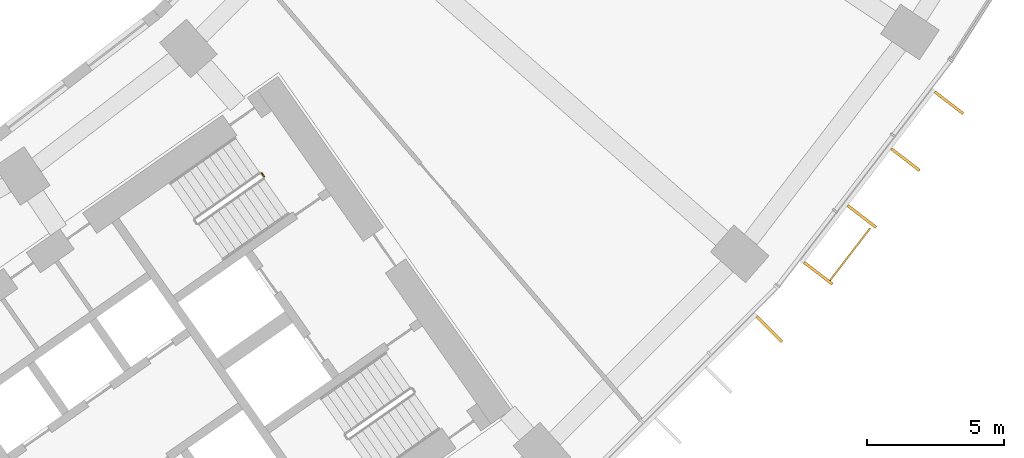
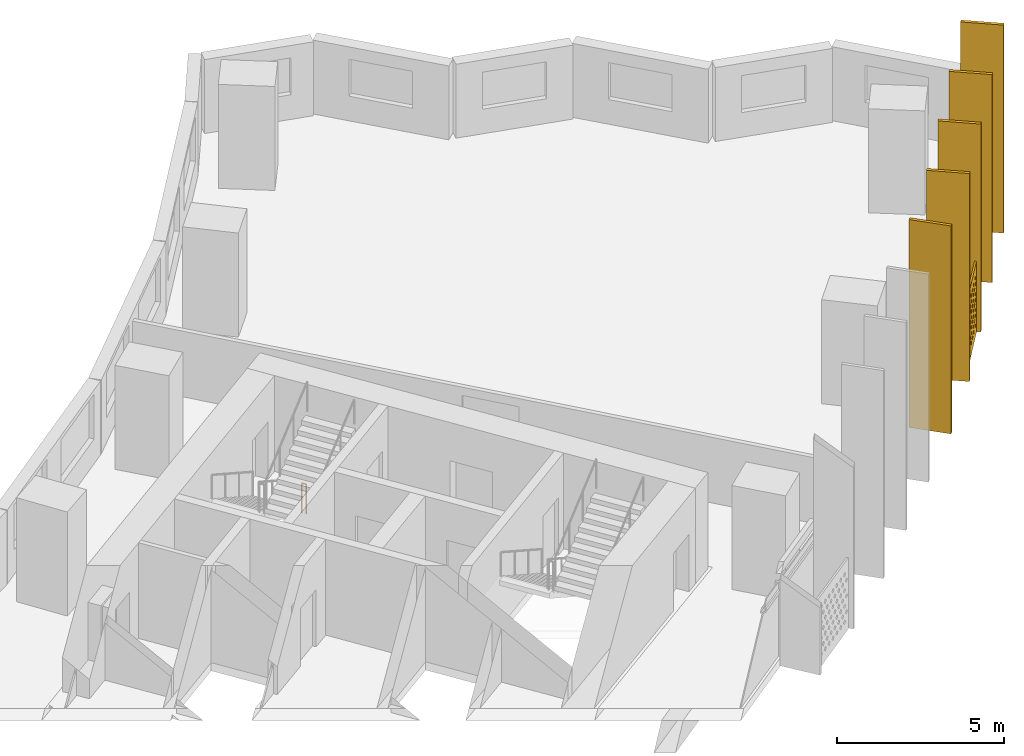
# One storey, part 33 of 33: 6 shading devices, 1 railing.
"""IFC4 building model written with IfcOpenShell, lengths in metres."""

from ifc_helpers import new_model, si_unit, direction, frame, origin, origin_2d, place, context, subcontext, project, spatial, polyline, rectangle, circle, outline, extrude, material, material_profile, profile_set, type_object, element, save


model = new_model("IFC4")

# Units and contexts
model_context = context("Model", 3, precision=1e-05, world=origin(), true_north=direction((0.0, 1.0)))
body_context = subcontext(model_context, "Body", "Model", "MODEL_VIEW")
ifc_project = project(units=[si_unit("LENGTHUNIT", "METRE"), si_unit("AREAUNIT", "SQUARE_METRE"), si_unit("VOLUMEUNIT", "CUBIC_METRE"), si_unit("PLANEANGLEUNIT", "RADIAN"), si_unit("MASSUNIT", "GRAM", prefix="KILO")], contexts=[model_context])

# Site, building, storey
site_placement = place(None, origin())
site = spatial("IfcSite", under=ifc_project, at=site_placement, CompositionType="ELEMENT")
building_placement = place(site_placement, origin())
building = spatial("IfcBuilding", under=site, at=building_placement, Name="Qamariyya Broadcast Tower", CompositionType="ELEMENT")
storey_placement = place(building_placement, frame((0.0, 0.0, 78.5)))
storey = spatial("IfcBuildingStorey", under=building, at=storey_placement, Name="L16", CompositionType="ELEMENT", Elevation=78.5)

# Shading device
ifc_material_1 = material(Name="Perforated glazed terracotta", Category="masonry")
ifc_material_profile_1 = material_profile(ifc_material_1, outline(polyline([(-1.199951171875, -1.300048828125), (1.199951171875, -1.300048828125), (1.199951171875, 1.300048828125), (-1.199951171875, 1.300048828125), (-1.199951171875, -1.300048828125)]), holes=[polyline([(-0.81494140625, -0.86669921875), (-0.89990234375, -0.78173828125), (-0.985107421875, -0.86669921875), (-0.89990234375, -0.95166015625), (-0.81494140625, -0.86669921875)]), polyline([(-0.514892578125, -0.86669921875), (-0.60009765625, -0.78173828125), (-0.68505859375, -0.86669921875), (-0.60009765625, -0.95166015625), (-0.514892578125, -0.86669921875)]), polyline([(-0.215087890625, -0.86669921875), (-0.300048828125, -0.78173828125), (-0.385009765625, -0.86669921875), (-0.300048828125, -0.95166015625), (-0.215087890625, -0.86669921875)]), polyline([(0.0849609375, -0.86669921875), (0.0, -0.78173828125), (-0.0849609375, -0.86669921875), (0.0, -0.95166015625), (0.0849609375, -0.86669921875)]), polyline([(0.385009765625, -0.86669921875), (0.300048828125, -0.78173828125), (0.215087890625, -0.86669921875), (0.300048828125, -0.95166015625), (0.385009765625, -0.86669921875)]), polyline([(0.68505859375, -0.86669921875), (0.60009765625, -0.78173828125), (0.514892578125, -0.86669921875), (0.60009765625, -0.95166015625), (0.68505859375, -0.86669921875)]), polyline([(0.985107421875, -0.86669921875), (0.89990234375, -0.78173828125), (0.81494140625, -0.86669921875), (0.89990234375, -0.95166015625), (0.985107421875, -0.86669921875)]), polyline([(-0.965087890625, -0.577880859375), (-1.050048828125, -0.49267578125), (-1.135009765625, -0.577880859375), (-1.050048828125, -0.662841796875), (-0.965087890625, -0.577880859375)]), polyline([(-0.6650390625, -0.577880859375), (-0.75, -0.49267578125), (-0.8349609375, -0.577880859375), (-0.75, -0.662841796875), (-0.6650390625, -0.577880859375)]), polyline([(-0.364990234375, -0.577880859375), (-0.449951171875, -0.49267578125), (-0.534912109375, -0.577880859375), (-0.449951171875, -0.662841796875), (-0.364990234375, -0.577880859375)]), polyline([(-0.06494140625, -0.577880859375), (-0.14990234375, -0.49267578125), (-0.235107421875, -0.577880859375), (-0.14990234375, -0.662841796875), (-0.06494140625, -0.577880859375)]), polyline([(0.235107421875, -0.577880859375), (0.14990234375, -0.49267578125), (0.06494140625, -0.577880859375), (0.14990234375, -0.662841796875), (0.235107421875, -0.577880859375)]), polyline([(0.534912109375, -0.577880859375), (0.449951171875, -0.49267578125), (0.364990234375, -0.577880859375), (0.449951171875, -0.662841796875), (0.534912109375, -0.577880859375)]), polyline([(0.8349609375, -0.577880859375), (0.75, -0.49267578125), (0.6650390625, -0.577880859375), (0.75, -0.662841796875), (0.8349609375, -0.577880859375)]), polyline([(1.135009765625, -0.577880859375), (1.050048828125, -0.49267578125), (0.965087890625, -0.577880859375), (1.050048828125, -0.662841796875), (1.135009765625, -0.577880859375)]), polyline([(-0.81494140625, -0.288818359375), (-0.89990234375, -0.203857421875), (-0.985107421875, -0.288818359375), (-0.89990234375, -0.373779296875), (-0.81494140625, -0.288818359375)]), polyline([(-0.514892578125, -0.288818359375), (-0.60009765625, -0.203857421875), (-0.68505859375, -0.288818359375), (-0.60009765625, -0.373779296875), (-0.514892578125, -0.288818359375)]), polyline([(-0.215087890625, -0.288818359375), (-0.300048828125, -0.203857421875), (-0.385009765625, -0.288818359375), (-0.300048828125, -0.373779296875), (-0.215087890625, -0.288818359375)]), polyline([(0.0849609375, -0.288818359375), (0.0, -0.203857421875), (-0.0849609375, -0.288818359375), (0.0, -0.373779296875), (0.0849609375, -0.288818359375)]), polyline([(0.385009765625, -0.288818359375), (0.300048828125, -0.203857421875), (0.215087890625, -0.288818359375), (0.300048828125, -0.373779296875), (0.385009765625, -0.288818359375)]), polyline([(0.68505859375, -0.288818359375), (0.60009765625, -0.203857421875), (0.514892578125, -0.288818359375), (0.60009765625, -0.373779296875), (0.68505859375, -0.288818359375)]), polyline([(0.985107421875, -0.288818359375), (0.89990234375, -0.203857421875), (0.81494140625, -0.288818359375), (0.89990234375, -0.373779296875), (0.985107421875, -0.288818359375)]), polyline([(-0.965087890625, 0.0), (-1.050048828125, 0.0849609375), (-1.135009765625, 0.0), (-1.050048828125, -0.0849609375), (-0.965087890625, 0.0)]), polyline([(-0.6650390625, 0.0), (-0.75, 0.0849609375), (-0.8349609375, 0.0), (-0.75, -0.0849609375), (-0.6650390625, 0.0)]), polyline([(-0.364990234375, 0.0), (-0.449951171875, 0.0849609375), (-0.534912109375, 0.0), (-0.449951171875, -0.0849609375), (-0.364990234375, 0.0)]), polyline([(-0.06494140625, 0.0), (-0.14990234375, 0.0849609375), (-0.235107421875, 0.0), (-0.14990234375, -0.0849609375), (-0.06494140625, 0.0)]), polyline([(0.235107421875, 0.0), (0.14990234375, 0.0849609375), (0.06494140625, 0.0), (0.14990234375, -0.0849609375), (0.235107421875, 0.0)]), polyline([(0.534912109375, 0.0), (0.449951171875, 0.0849609375), (0.364990234375, 0.0), (0.449951171875, -0.0849609375), (0.534912109375, 0.0)]), polyline([(0.8349609375, 0.0), (0.75, 0.0849609375), (0.6650390625, 0.0), (0.75, -0.0849609375), (0.8349609375, 0.0)]), polyline([(1.135009765625, 0.0), (1.050048828125, 0.0849609375), (0.965087890625, 0.0), (1.050048828125, -0.0849609375), (1.135009765625, 0.0)]), polyline([(-0.81494140625, 0.288818359375), (-0.89990234375, 0.373779296875), (-0.985107421875, 0.288818359375), (-0.89990234375, 0.203857421875), (-0.81494140625, 0.288818359375)]), polyline([(-0.514892578125, 0.288818359375), (-0.60009765625, 0.373779296875), (-0.68505859375, 0.288818359375), (-0.60009765625, 0.203857421875), (-0.514892578125, 0.288818359375)]), polyline([(-0.215087890625, 0.288818359375), (-0.300048828125, 0.373779296875), (-0.385009765625, 0.288818359375), (-0.300048828125, 0.203857421875), (-0.215087890625, 0.288818359375)]), polyline([(0.0849609375, 0.288818359375), (0.0, 0.373779296875), (-0.0849609375, 0.288818359375), (0.0, 0.203857421875), (0.0849609375, 0.288818359375)]), polyline([(0.385009765625, 0.288818359375), (0.300048828125, 0.373779296875), (0.215087890625, 0.288818359375), (0.300048828125, 0.203857421875), (0.385009765625, 0.288818359375)]), polyline([(0.68505859375, 0.288818359375), (0.60009765625, 0.373779296875), (0.514892578125, 0.288818359375), (0.60009765625, 0.203857421875), (0.68505859375, 0.288818359375)]), polyline([(0.985107421875, 0.288818359375), (0.89990234375, 0.373779296875), (0.81494140625, 0.288818359375), (0.89990234375, 0.203857421875), (0.985107421875, 0.288818359375)]), polyline([(-0.965087890625, 0.577880859375), (-1.050048828125, 0.662841796875), (-1.135009765625, 0.577880859375), (-1.050048828125, 0.49267578125), (-0.965087890625, 0.577880859375)]), polyline([(-0.6650390625, 0.577880859375), (-0.75, 0.662841796875), (-0.8349609375, 0.577880859375), (-0.75, 0.49267578125), (-0.6650390625, 0.577880859375)]), polyline([(-0.364990234375, 0.577880859375), (-0.449951171875, 0.662841796875), (-0.534912109375, 0.577880859375), (-0.449951171875, 0.49267578125), (-0.364990234375, 0.577880859375)]), polyline([(-0.06494140625, 0.577880859375), (-0.14990234375, 0.662841796875), (-0.235107421875, 0.577880859375), (-0.14990234375, 0.49267578125), (-0.06494140625, 0.577880859375)]), polyline([(0.235107421875, 0.577880859375), (0.14990234375, 0.662841796875), (0.06494140625, 0.577880859375), (0.14990234375, 0.49267578125), (0.235107421875, 0.577880859375)]), polyline([(0.534912109375, 0.577880859375), (0.449951171875, 0.662841796875), (0.364990234375, 0.577880859375), (0.449951171875, 0.49267578125), (0.534912109375, 0.577880859375)]), polyline([(0.8349609375, 0.577880859375), (0.75, 0.662841796875), (0.6650390625, 0.577880859375), (0.75, 0.49267578125), (0.8349609375, 0.577880859375)]), polyline([(1.135009765625, 0.577880859375), (1.050048828125, 0.662841796875), (0.965087890625, 0.577880859375), (1.050048828125, 0.49267578125), (1.135009765625, 0.577880859375)]), polyline([(-0.81494140625, 0.86669921875), (-0.89990234375, 0.95166015625), (-0.985107421875, 0.86669921875), (-0.89990234375, 0.78173828125), (-0.81494140625, 0.86669921875)]), polyline([(-0.514892578125, 0.86669921875), (-0.60009765625, 0.95166015625), (-0.68505859375, 0.86669921875), (-0.60009765625, 0.78173828125), (-0.514892578125, 0.86669921875)]), polyline([(-0.215087890625, 0.86669921875), (-0.300048828125, 0.95166015625), (-0.385009765625, 0.86669921875), (-0.300048828125, 0.78173828125), (-0.215087890625, 0.86669921875)]), polyline([(0.0849609375, 0.86669921875), (0.0, 0.95166015625), (-0.0849609375, 0.86669921875), (0.0, 0.78173828125), (0.0849609375, 0.86669921875)]), polyline([(0.385009765625, 0.86669921875), (0.300048828125, 0.95166015625), (0.215087890625, 0.86669921875), (0.300048828125, 0.78173828125), (0.385009765625, 0.86669921875)]), polyline([(0.68505859375, 0.86669921875), (0.60009765625, 0.95166015625), (0.514892578125, 0.86669921875), (0.60009765625, 0.78173828125), (0.68505859375, 0.86669921875)]), polyline([(0.985107421875, 0.86669921875), (0.89990234375, 0.95166015625), (0.81494140625, 0.86669921875), (0.89990234375, 0.78173828125), (0.985107421875, 0.86669921875)])]))
ifc_profile_set_1 = profile_set([ifc_material_profile_1], Name="Perforated glazed terracotta")
shading_device_type_1 = type_object("IfcShadingDeviceType", Name="Perforated terracotta screen 2400 x 2600", PredefinedType="USERDEFINED", material=ifc_profile_set_1)
shading_device_placement = place(storey_placement, frame((62.4453125, -51.26513671875, 1.35009765625), z_axis=(0.792623989105, -0.60971076085, 0.0), x_axis=(0.60971076085, 0.792623989105, 0.0)))
element("IfcShadingDevice", 1, at=shading_device_placement, inside=storey, type_object=shading_device_type_1, Name="e-scr-L16-15-0", ObjectType="SCREEN", PredefinedType="USERDEFINED", context=body_context, shape_type="SweptSolid", body=[
    extrude(outline(polyline([(-1.199951171875, -1.300048828125), (1.199951171875, -1.300048828125), (1.199951171875, 1.300048828125), (-1.199951171875, 1.300048828125), (-1.199951171875, -1.300048828125)]), holes=[polyline([(-0.81494140625, -0.86669921875), (-0.89990234375, -0.78173828125), (-0.985107421875, -0.86669921875), (-0.89990234375, -0.95166015625), (-0.81494140625, -0.86669921875)]), polyline([(-0.514892578125, -0.86669921875), (-0.60009765625, -0.78173828125), (-0.68505859375, -0.86669921875), (-0.60009765625, -0.95166015625), (-0.514892578125, -0.86669921875)]), polyline([(-0.215087890625, -0.86669921875), (-0.300048828125, -0.78173828125), (-0.385009765625, -0.86669921875), (-0.300048828125, -0.95166015625), (-0.215087890625, -0.86669921875)]), polyline([(0.0849609375, -0.86669921875), (0.0, -0.78173828125), (-0.0849609375, -0.86669921875), (0.0, -0.95166015625), (0.0849609375, -0.86669921875)]), polyline([(0.385009765625, -0.86669921875), (0.300048828125, -0.78173828125), (0.215087890625, -0.86669921875), (0.300048828125, -0.95166015625), (0.385009765625, -0.86669921875)]), polyline([(0.68505859375, -0.86669921875), (0.60009765625, -0.78173828125), (0.514892578125, -0.86669921875), (0.60009765625, -0.95166015625), (0.68505859375, -0.86669921875)]), polyline([(0.985107421875, -0.86669921875), (0.89990234375, -0.78173828125), (0.81494140625, -0.86669921875), (0.89990234375, -0.95166015625), (0.985107421875, -0.86669921875)]), polyline([(-0.965087890625, -0.577880859375), (-1.050048828125, -0.49267578125), (-1.135009765625, -0.577880859375), (-1.050048828125, -0.662841796875), (-0.965087890625, -0.577880859375)]), polyline([(-0.6650390625, -0.577880859375), (-0.75, -0.49267578125), (-0.8349609375, -0.577880859375), (-0.75, -0.662841796875), (-0.6650390625, -0.577880859375)]), polyline([(-0.364990234375, -0.577880859375), (-0.449951171875, -0.49267578125), (-0.534912109375, -0.577880859375), (-0.449951171875, -0.662841796875), (-0.364990234375, -0.577880859375)]), polyline([(-0.06494140625, -0.577880859375), (-0.14990234375, -0.49267578125), (-0.235107421875, -0.577880859375), (-0.14990234375, -0.662841796875), (-0.06494140625, -0.577880859375)]), polyline([(0.235107421875, -0.577880859375), (0.14990234375, -0.49267578125), (0.06494140625, -0.577880859375), (0.14990234375, -0.662841796875), (0.235107421875, -0.577880859375)]), polyline([(0.534912109375, -0.577880859375), (0.449951171875, -0.49267578125), (0.364990234375, -0.577880859375), (0.449951171875, -0.662841796875), (0.534912109375, -0.577880859375)]), polyline([(0.8349609375, -0.577880859375), (0.75, -0.49267578125), (0.6650390625, -0.577880859375), (0.75, -0.662841796875), (0.8349609375, -0.577880859375)]), polyline([(1.135009765625, -0.577880859375), (1.050048828125, -0.49267578125), (0.965087890625, -0.577880859375), (1.050048828125, -0.662841796875), (1.135009765625, -0.577880859375)]), polyline([(-0.81494140625, -0.288818359375), (-0.89990234375, -0.203857421875), (-0.985107421875, -0.288818359375), (-0.89990234375, -0.373779296875), (-0.81494140625, -0.288818359375)]), polyline([(-0.514892578125, -0.288818359375), (-0.60009765625, -0.203857421875), (-0.68505859375, -0.288818359375), (-0.60009765625, -0.373779296875), (-0.514892578125, -0.288818359375)]), polyline([(-0.215087890625, -0.288818359375), (-0.300048828125, -0.203857421875), (-0.385009765625, -0.288818359375), (-0.300048828125, -0.373779296875), (-0.215087890625, -0.288818359375)]), polyline([(0.0849609375, -0.288818359375), (0.0, -0.203857421875), (-0.0849609375, -0.288818359375), (0.0, -0.373779296875), (0.0849609375, -0.288818359375)]), polyline([(0.385009765625, -0.288818359375), (0.300048828125, -0.203857421875), (0.215087890625, -0.288818359375), (0.300048828125, -0.373779296875), (0.385009765625, -0.288818359375)]), polyline([(0.68505859375, -0.288818359375), (0.60009765625, -0.203857421875), (0.514892578125, -0.288818359375), (0.60009765625, -0.373779296875), (0.68505859375, -0.288818359375)]), polyline([(0.985107421875, -0.288818359375), (0.89990234375, -0.203857421875), (0.81494140625, -0.288818359375), (0.89990234375, -0.373779296875), (0.985107421875, -0.288818359375)]), polyline([(-0.965087890625, 0.0), (-1.050048828125, 0.0849609375), (-1.135009765625, 0.0), (-1.050048828125, -0.0849609375), (-0.965087890625, 0.0)]), polyline([(-0.6650390625, 0.0), (-0.75, 0.0849609375), (-0.8349609375, 0.0), (-0.75, -0.0849609375), (-0.6650390625, 0.0)]), polyline([(-0.364990234375, 0.0), (-0.449951171875, 0.0849609375), (-0.534912109375, 0.0), (-0.449951171875, -0.0849609375), (-0.364990234375, 0.0)]), polyline([(-0.06494140625, 0.0), (-0.14990234375, 0.0849609375), (-0.235107421875, 0.0), (-0.14990234375, -0.0849609375), (-0.06494140625, 0.0)]), polyline([(0.235107421875, 0.0), (0.14990234375, 0.0849609375), (0.06494140625, 0.0), (0.14990234375, -0.0849609375), (0.235107421875, 0.0)]), polyline([(0.534912109375, 0.0), (0.449951171875, 0.0849609375), (0.364990234375, 0.0), (0.449951171875, -0.0849609375), (0.534912109375, 0.0)]), polyline([(0.8349609375, 0.0), (0.75, 0.0849609375), (0.6650390625, 0.0), (0.75, -0.0849609375), (0.8349609375, 0.0)]), polyline([(1.135009765625, 0.0), (1.050048828125, 0.0849609375), (0.965087890625, 0.0), (1.050048828125, -0.0849609375), (1.135009765625, 0.0)]), polyline([(-0.81494140625, 0.288818359375), (-0.89990234375, 0.373779296875), (-0.985107421875, 0.288818359375), (-0.89990234375, 0.203857421875), (-0.81494140625, 0.288818359375)]), polyline([(-0.514892578125, 0.288818359375), (-0.60009765625, 0.373779296875), (-0.68505859375, 0.288818359375), (-0.60009765625, 0.203857421875), (-0.514892578125, 0.288818359375)]), polyline([(-0.215087890625, 0.288818359375), (-0.300048828125, 0.373779296875), (-0.385009765625, 0.288818359375), (-0.300048828125, 0.203857421875), (-0.215087890625, 0.288818359375)]), polyline([(0.0849609375, 0.288818359375), (0.0, 0.373779296875), (-0.0849609375, 0.288818359375), (0.0, 0.203857421875), (0.0849609375, 0.288818359375)]), polyline([(0.385009765625, 0.288818359375), (0.300048828125, 0.373779296875), (0.215087890625, 0.288818359375), (0.300048828125, 0.203857421875), (0.385009765625, 0.288818359375)]), polyline([(0.68505859375, 0.288818359375), (0.60009765625, 0.373779296875), (0.514892578125, 0.288818359375), (0.60009765625, 0.203857421875), (0.68505859375, 0.288818359375)]), polyline([(0.985107421875, 0.288818359375), (0.89990234375, 0.373779296875), (0.81494140625, 0.288818359375), (0.89990234375, 0.203857421875), (0.985107421875, 0.288818359375)]), polyline([(-0.965087890625, 0.577880859375), (-1.050048828125, 0.662841796875), (-1.135009765625, 0.577880859375), (-1.050048828125, 0.49267578125), (-0.965087890625, 0.577880859375)]), polyline([(-0.6650390625, 0.577880859375), (-0.75, 0.662841796875), (-0.8349609375, 0.577880859375), (-0.75, 0.49267578125), (-0.6650390625, 0.577880859375)]), polyline([(-0.364990234375, 0.577880859375), (-0.449951171875, 0.662841796875), (-0.534912109375, 0.577880859375), (-0.449951171875, 0.49267578125), (-0.364990234375, 0.577880859375)]), polyline([(-0.06494140625, 0.577880859375), (-0.14990234375, 0.662841796875), (-0.235107421875, 0.577880859375), (-0.14990234375, 0.49267578125), (-0.06494140625, 0.577880859375)]), polyline([(0.235107421875, 0.577880859375), (0.14990234375, 0.662841796875), (0.06494140625, 0.577880859375), (0.14990234375, 0.49267578125), (0.235107421875, 0.577880859375)]), polyline([(0.534912109375, 0.577880859375), (0.449951171875, 0.662841796875), (0.364990234375, 0.577880859375), (0.449951171875, 0.49267578125), (0.534912109375, 0.577880859375)]), polyline([(0.8349609375, 0.577880859375), (0.75, 0.662841796875), (0.6650390625, 0.577880859375), (0.75, 0.49267578125), (0.8349609375, 0.577880859375)]), polyline([(1.135009765625, 0.577880859375), (1.050048828125, 0.662841796875), (0.965087890625, 0.577880859375), (1.050048828125, 0.49267578125), (1.135009765625, 0.577880859375)]), polyline([(-0.81494140625, 0.86669921875), (-0.89990234375, 0.95166015625), (-0.985107421875, 0.86669921875), (-0.89990234375, 0.78173828125), (-0.81494140625, 0.86669921875)]), polyline([(-0.514892578125, 0.86669921875), (-0.60009765625, 0.95166015625), (-0.68505859375, 0.86669921875), (-0.60009765625, 0.78173828125), (-0.514892578125, 0.86669921875)]), polyline([(-0.215087890625, 0.86669921875), (-0.300048828125, 0.95166015625), (-0.385009765625, 0.86669921875), (-0.300048828125, 0.78173828125), (-0.215087890625, 0.86669921875)]), polyline([(0.0849609375, 0.86669921875), (0.0, 0.95166015625), (-0.0849609375, 0.86669921875), (0.0, 0.78173828125), (0.0849609375, 0.86669921875)]), polyline([(0.385009765625, 0.86669921875), (0.300048828125, 0.95166015625), (0.215087890625, 0.86669921875), (0.300048828125, 0.78173828125), (0.385009765625, 0.86669921875)]), polyline([(0.68505859375, 0.86669921875), (0.60009765625, 0.95166015625), (0.514892578125, 0.86669921875), (0.60009765625, 0.78173828125), (0.68505859375, 0.86669921875)]), polyline([(0.985107421875, 0.86669921875), (0.89990234375, 0.95166015625), (0.81494140625, 0.86669921875), (0.89990234375, 0.78173828125), (0.985107421875, 0.86669921875)])]), origin(), (0.0, 0.0, 1.0), 0.06005859375),
])

# Railing
ifc_material_2 = material(Name="Painted steel", Category="steel")
railing_type = type_object("IfcRailingType", Name="Stair guard", PredefinedType="GUARDRAIL", material=ifc_material_2)
railing_placement = place(storey_placement, frame((41.072998046875, -48.332275390625, 0.0)))
element("IfcRailing", 2, at=railing_placement, inside=storey, type_object=railing_type, Name="L16 ST-E2 stair guard 3", PredefinedType="GUARDRAIL", context=body_context, shape_type="SweptSolid", body=[
    extrude(circle(Radius=0.02392578125, at=origin_2d()), frame((0.0, 0.0, 1.076171875), z_axis=(0.572588637393, -0.819842821722, 0.0), x_axis=(0.819842821722, 0.572588637393, 0.0)), (0.0, 0.0, 1.0), 0.150146484375),
    extrude(circle(Radius=0.02099609375, at=origin_2d()), origin(), (0.0, 0.0, 1.0), 1.052001953125),
    extrude(circle(Radius=0.02099609375, at=origin_2d()), frame((0.0859375, -0.123046875, 0.0)), (0.0, 0.0, 1.0), 1.052001953125),
])

# Shading devices
ifc_material_3 = material(Name="Glazed terracotta", Category="masonry")
ifc_material_profile_2 = material_profile(ifc_material_3, rectangle(XDim=1.300048828125, YDim=0.10009765625, at=origin_2d()))
ifc_profile_set_2 = profile_set([ifc_material_profile_2], Name="Glazed terracotta")
shading_device_type_2 = type_object("IfcShadingDeviceType", Name="Terracotta fin 100 x 1300", PredefinedType="USERDEFINED", material=ifc_profile_set_2)
for number, where, z_axis, x_axis, name in (
    (3, (59.52880859375, -54.00341796875, 0.0), (0.0, 0.0, 1.0), (0.707106781187, -0.707106781187, 0.0), "e-fin-L16-14-3"),
    (4, (61.3115234375, -51.970703125, 0.0), (0.0, 0.0, 1.0), (0.793353340291, -0.608761429009, 0.0), "e-fin-L16-15-0"),
    (5, (62.897216796875, -49.904296875, 0.0), (0.0, 0.0, 1.0), (0.793353340291, -0.608761429009, 0.0), "e-fin-L16-15-1"),
    (6, (64.48291015625, -47.837890625, 0.0), (0.0, 0.0, 1.0), (0.793353340291, -0.608761429009, 0.0), "e-fin-L16-15-2"),
    (7, (66.068359375, -45.771484375, 0.0), (0.0, 0.0, 1.0), (0.793353340291, -0.608761429009, 0.0), "e-fin-L16-15-3"),
):
    element("IfcShadingDevice", number, at=place(storey_placement, frame(where, z_axis=z_axis, x_axis=x_axis)), inside=storey, type_object=shading_device_type_2, Name=name, ObjectType="FIN", PredefinedType="USERDEFINED", context=body_context, shape_type="SweptSolid", body=[
        extrude(rectangle(XDim=1.300048828125, YDim=0.10009765625, at=origin_2d()), origin(), (0.0, 0.0, 1.0), 7.60009765625),
    ])

save(model, "model.ifc")
